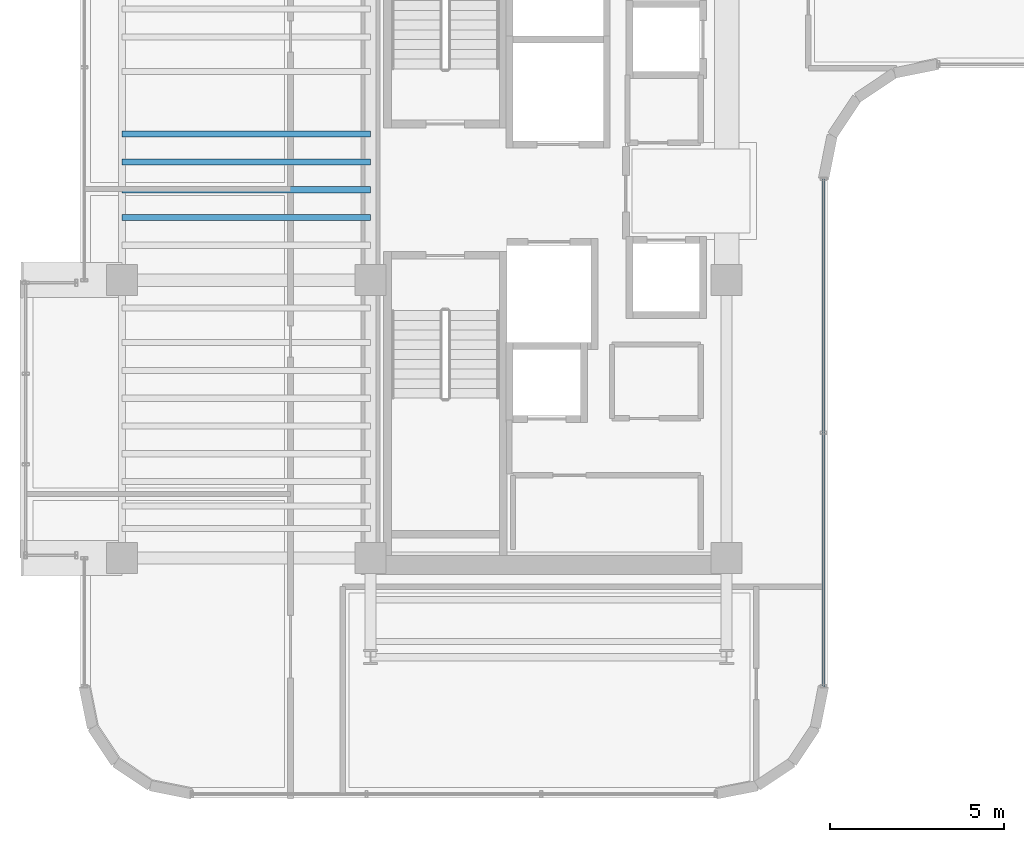
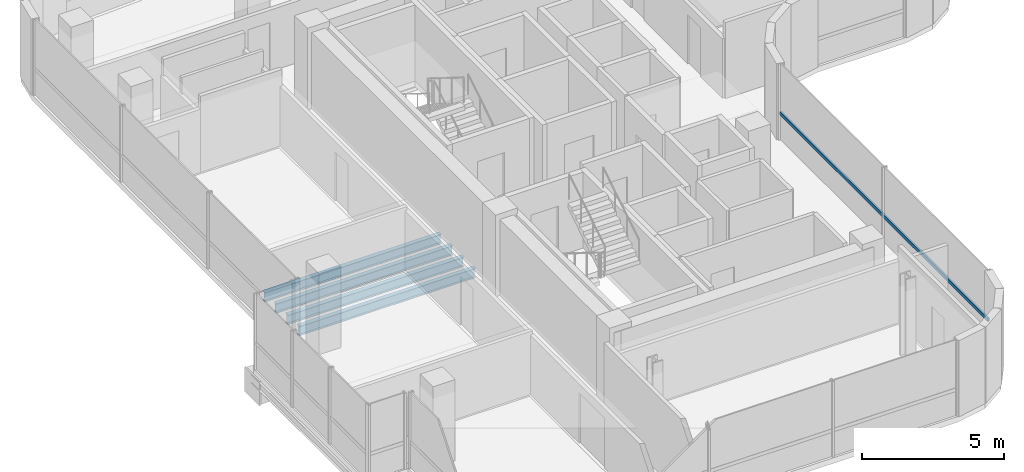
# One storey, part 6 of 22: 4 beams, 1 member, 1 element without a shape of its own.
"""IFC4 building model written with IfcOpenShell, lengths in metres."""

from ifc_helpers import new_model, si_unit, direction, frame, origin, origin_2d, place, context, subcontext, project, spatial, hollow_rectangle, i_section, extrude, source, transform, mapped, material, material_profile, profile_set, type_object, element, aggregate, save


model = new_model("IFC4")

# Units and contexts
model_context = context("Model", 3, precision=1e-05, world=origin(), true_north=direction((0.0, 1.0)))
body_context = subcontext(model_context, "Body", "Model", "MODEL_VIEW")
ifc_project = project(units=[si_unit("LENGTHUNIT", "METRE"), si_unit("AREAUNIT", "SQUARE_METRE"), si_unit("VOLUMEUNIT", "CUBIC_METRE"), si_unit("PLANEANGLEUNIT", "RADIAN"), si_unit("MASSUNIT", "GRAM", prefix="KILO")], contexts=[model_context])

# Site, building, storey
site_placement = place(None, origin())
site = spatial("IfcSite", under=ifc_project, at=site_placement, CompositionType="ELEMENT")
building_placement = place(site_placement, origin())
building = spatial("IfcBuilding", under=site, at=building_placement, Name="Valdorenza Pilgrim Sanctuary Tower", CompositionType="ELEMENT")
storey_placement = place(building_placement, frame((0.0, 0.0, 233.5)))
storey = spatial("IfcBuildingStorey", under=building, at=storey_placement, Name="L60", CompositionType="ELEMENT", Elevation=233.5)

# Beams
ifc_material_1 = material(Name="Steel ASTM A992 Grade 50", Category="steel")
ifc_material_profile_1 = material_profile(ifc_material_1, i_section(OverallWidth=0.177978515625, OverallDepth=0.406005859375, WebThickness=0.0078125, FlangeThickness=0.0126953125, at=origin_2d()), Name="W16X40")
ifc_profile_set_1 = profile_set([ifc_material_profile_1], Name="Steel ASTM A992 Grade 50")
beam_type = type_object("IfcBeamType", Name="STR-BM-JST-W16", PredefinedType="JOIST", material=ifc_profile_set_1)
shared_shape_1 = source(origin(), body_context, "Body", "SweptSolid", [
    extrude(i_section(OverallWidth=0.177978515625, OverallDepth=0.406005859375, WebThickness=0.0078125, FlangeThickness=0.0126953125, at=origin_2d()), origin(), (0.0, 0.0, 1.0), 7.150146484375),
])
for number, where, z_axis, x_axis, name in (
    (1, (-29.800048828125, -0.800048828125, -0.443115234375), (1.0, 0.0, 0.0), (0.0, 1.0, 0.0), "L60 Composite Floor Joist JST-WA-11"),
    (2, (-29.800048828125, 0.0, -0.443115234375), (1.0, 0.0, 0.0), (0.0, 1.0, 0.0), "L60 Composite Floor Joist JST-WA-12"),
    (3, (-29.800048828125, 0.800048828125, -0.443115234375), (1.0, 0.0, 0.0), (0.0, 1.0, 0.0), "L60 Composite Floor Joist JST-WA-13"),
    (4, (-29.800048828125, 1.60009765625, -0.443115234375), (1.0, 0.0, 0.0), (0.0, 1.0, 0.0), "L60 Composite Floor Joist JST-WA-14"),
):
    element("IfcBeam", number, at=place(storey_placement, frame(where, z_axis=z_axis, x_axis=x_axis)), inside=storey, type_object=beam_type, Name=name, PredefinedType="JOIST", context=body_context, shape_type="MappedRepresentation", body=[
        mapped(shared_shape_1, transform((0.0, 0.0, 0.0), x_axis=(1.0, 0.0, 0.0), y_axis=(0.0, 1.0, 0.0), z_axis=(0.0, 0.0, 1.0), scale=1.0)),
    ])

# Curtain wall, member
ifc_material_2 = material(Name="Curtain-wall IGU glazing", Category="glass")
curtain_wall_type = type_object("IfcCurtainWallType", Name="CW-SYS-02", PredefinedType="NOTDEFINED", material=ifc_material_2)
curtain_wall_placement = place(storey_placement, origin())
curtain_wall = element("IfcCurtainWall", 5, at=curtain_wall_placement, inside=storey, type_object=curtain_wall_type, Name="L60 Curtain Wall CW-L60-1-21", PredefinedType="NOTDEFINED")
ifc_material_3 = material(Name="Anodised aluminium AW-6060", Category="aluminium")
ifc_material_profile_2 = material_profile(ifc_material_3, hollow_rectangle(XDim=0.074951171875, YDim=0.14990234375, WallThickness=0.00390625, at=origin_2d()), Name="ALU-T 150x75x4")
ifc_profile_set_2 = profile_set([ifc_material_profile_2], Name="Anodised aluminium AW-6060")
member_type = type_object("IfcMemberType", Name="CW-TRN-02", PredefinedType="USERDEFINED", material=ifc_profile_set_2)
shared_shape_2 = source(origin(), body_context, "Body", "SweptSolid", [
    extrude(hollow_rectangle(XDim=0.074951171875, YDim=0.14990234375, WallThickness=0.00390625, at=origin_2d()), origin(), (0.0, 0.0, 1.0), 14.60009765625),
])
member_placement = place(storey_placement, frame((-9.610107421875, 0.310791015625, 1.1201171875), z_axis=(0.0, -1.0, 0.0), x_axis=(1.0, 0.0, 0.0)))
member = element("IfcMember", 6, at=member_placement, type_object=member_type, Name="CW-L60-1-21 Transom 1", ObjectType="TRANSOM", PredefinedType="USERDEFINED", context=body_context, shape_type="MappedRepresentation", body=[
    mapped(shared_shape_2, transform((0.0, 0.0, 0.0), x_axis=(1.0, 0.0, 0.0), y_axis=(0.0, 1.0, 0.0), z_axis=(0.0, 0.0, 1.0), scale=1.0)),
])
aggregate(curtain_wall, [member])

save(model, "model.ifc")
